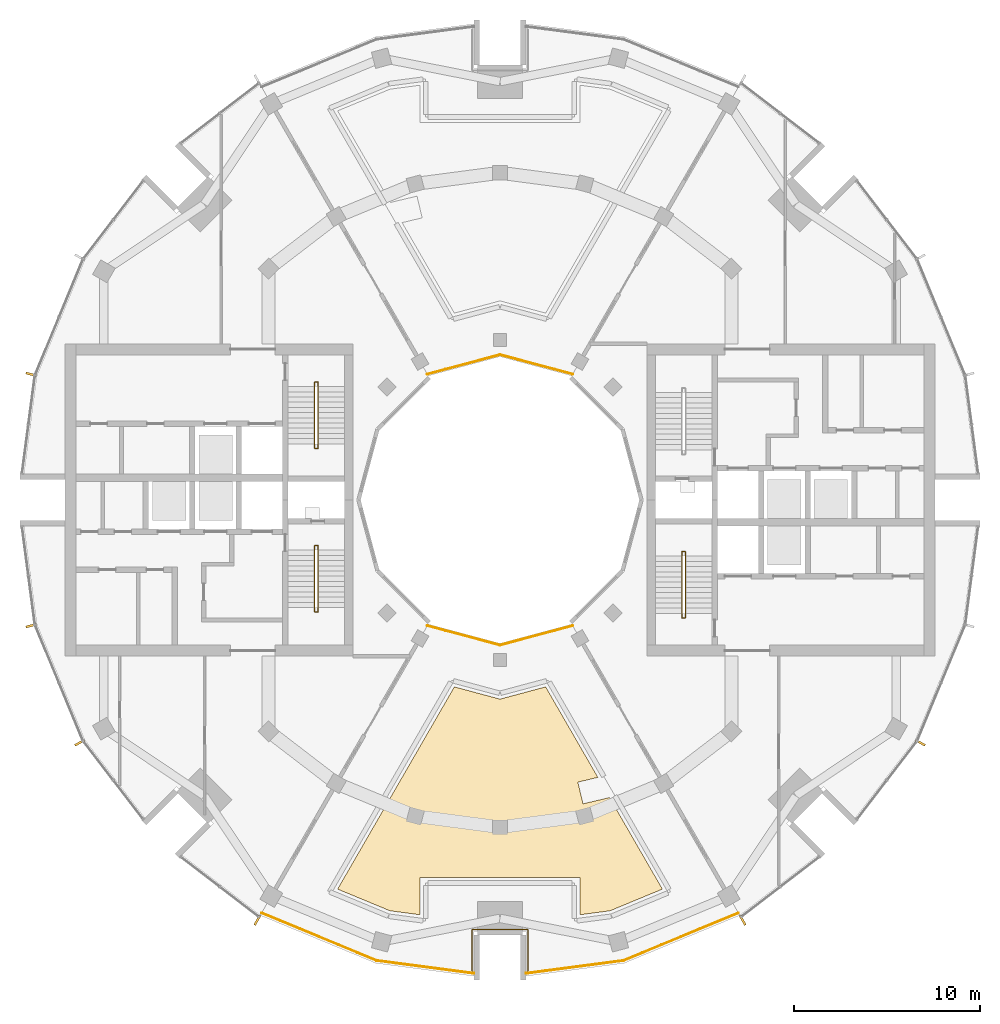
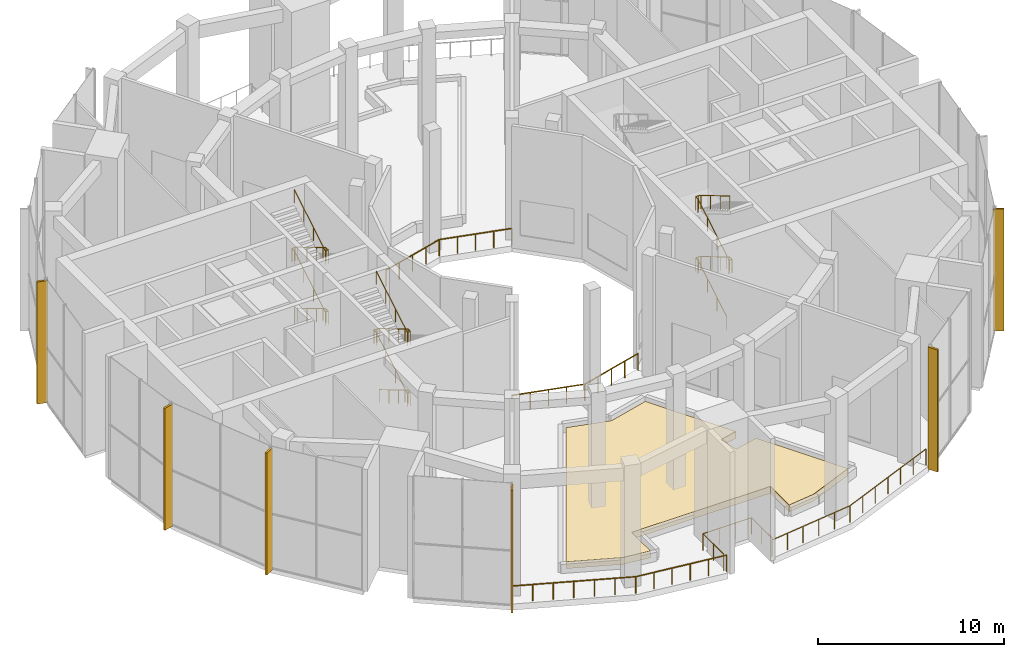
# One storey, part 16 of 18: 8 railings, 6 shading devices, 1 covering.
"""IFC4 building model written with IfcOpenShell, lengths in metres."""

from ifc_helpers import new_model, si_unit, direction, frame, origin, origin_2d, place, context, subcontext, project, spatial, polyline, rectangle, circle, outline, extrude, material, layer, layer_set, material_profile, profile_set, type_object, element, save


model = new_model("IFC4")

# Units and contexts
model_context = context("Model", 3, precision=1e-05, world=origin(), true_north=direction((0.0, 1.0)))
body_context = subcontext(model_context, "Body", "Model", "MODEL_VIEW")
ifc_project = project(units=[si_unit("LENGTHUNIT", "METRE"), si_unit("AREAUNIT", "SQUARE_METRE"), si_unit("VOLUMEUNIT", "CUBIC_METRE"), si_unit("PLANEANGLEUNIT", "RADIAN"), si_unit("MASSUNIT", "GRAM", prefix="KILO")], contexts=[model_context])

# Site, building, storey
site_placement = place(None, origin())
site = spatial("IfcSite", under=ifc_project, at=site_placement, CompositionType="ELEMENT")
building_placement = place(site_placement, origin())
building = spatial("IfcBuilding", under=site, at=building_placement, Name="Torre Brocal", CompositionType="ELEMENT")
storey_placement = place(building_placement, frame((0.0, 0.0, 229.300048828125)))
storey = spatial("IfcBuildingStorey", under=building, at=storey_placement, Name="L53", CompositionType="ELEMENT", Elevation=229.300048828125)

# Shading devices
ifc_material_1 = material(Name="Aluminium, black anodised", Category="aluminium")
ifc_material_profile = material_profile(ifc_material_1, rectangle(XDim=0.1201171875, YDim=0.60009765625, at=origin_2d()), Name="FIN 120X600 8000 HIGH")
ifc_profile_set = profile_set([ifc_material_profile], Name="Aluminium, black anodised")
shading_device_type = type_object("IfcShadingDeviceType", Name="FIN 120X600 8000 HIGH", PredefinedType="USERDEFINED", material=ifc_profile_set)
for number, where, z_axis, x_axis, name in (
    (1, (54.791015625, 81.754638671875, -0.150146484375), (0.0, 0.0, 1.0), (-0.258819045103, -0.965925826289, 0.0), "FIN"),
    (2, (54.791015625, 68.245361328125, -0.150146484375), (0.0, 0.0, 1.0), (0.258819045103, -0.965925826289, 0.0), "FIN"),
    (3, (57.398193359375, 61.950927734375, -0.150146484375), (0.0, 0.0, 1.0), (0.5, -0.866025403784, 0.0), "FIN"),
    (4, (66.950927734375, 52.398193359375, -0.150146484375), (0.0, 0.0, 1.0), (0.866025403784, -0.5, 0.0), "FIN"),
    (5, (93.049072265625, 52.398193359375, -0.150146484375), (0.0, 0.0, 1.0), (0.866025403784, 0.5, 0.0), "FIN"),
    (6, (102.601806640625, 61.950927734375, -0.150146484375), (0.0, 0.0, 1.0), (0.5, 0.866025403784, 0.0), "FIN"),
):
    element("IfcShadingDevice", number, at=place(storey_placement, frame(where, z_axis=z_axis, x_axis=x_axis)), inside=storey, type_object=shading_device_type, Name=name, ObjectType="FIN", PredefinedType="USERDEFINED", context=body_context, shape_type="SweptSolid", body=[
        extrude(rectangle(XDim=0.1201171875, YDim=0.60009765625, at=origin_2d()), origin(), (0.0, 0.0, 1.0), 8.0),
    ])

# Railings
ifc_material_2 = material(Name="Laminated glass", Category="glass")
railing_type_1 = type_object("IfcRailingType", Name="GLASS BALUSTRADE 1100", PredefinedType="BALUSTRADE", material=ifc_material_2)
railing_1_placement = place(storey_placement, frame((83.9052734375, 81.76416015625, 0.0)))
element("IfcRailing", 7, at=railing_1_placement, inside=storey, type_object=railing_type_1, Name="GLASS BALUSTRADE", PredefinedType="BALUSTRADE", context=body_context, shape_type="SweptSolid", body=[
    extrude(circle(Radius=0.02392578125, at=origin_2d()), frame((0.0, 0.0, 1.076171875), z_axis=(-0.965927566611, 0.258812550044, 0.0), x_axis=(-0.258812550044, -0.965927566611, 0.0)), (0.0, 0.0, 1.0), 4.04296875),
    extrude(circle(Radius=0.02392578125, at=origin_2d()), frame((-3.9052734375, 1.04638671875, 1.076171875), z_axis=(-0.965927566611, -0.258812550044, 0.0), x_axis=(0.258812550044, -0.965927566611, 0.0)), (0.0, 0.0, 1.0), 4.04296875),
    extrude(circle(Radius=0.02099609375, at=origin_2d()), origin(), (0.0, 0.0, 1.0), 1.052001953125),
    extrude(circle(Radius=0.02099609375, at=origin_2d()), frame((-0.976318359375, 0.26171875, 0.0)), (0.0, 0.0, 1.0), 1.052001953125),
    extrude(circle(Radius=0.02099609375, at=origin_2d()), frame((-1.95263671875, 0.523193359375, 0.0)), (0.0, 0.0, 1.0), 1.052001953125),
    extrude(circle(Radius=0.02099609375, at=origin_2d()), frame((-2.928955078125, 0.78466796875, 0.0)), (0.0, 0.0, 1.0), 1.052001953125),
    extrude(circle(Radius=0.02099609375, at=origin_2d()), frame((-3.9052734375, 1.04638671875, 0.0)), (0.0, 0.0, 1.0), 1.052001953125),
    extrude(circle(Radius=0.02099609375, at=origin_2d()), frame((-4.881591796875, 0.78466796875, 0.0)), (0.0, 0.0, 1.0), 1.052001953125),
    extrude(circle(Radius=0.02099609375, at=origin_2d()), frame((-5.85791015625, 0.523193359375, 0.0)), (0.0, 0.0, 1.0), 1.052001953125),
    extrude(circle(Radius=0.02099609375, at=origin_2d()), frame((-6.834228515625, 0.26171875, 0.0)), (0.0, 0.0, 1.0), 1.052001953125),
    extrude(circle(Radius=0.02099609375, at=origin_2d()), frame((-7.810546875, 0.0, 0.0)), (0.0, 0.0, 1.0), 1.052001953125),
])
railing_2_placement = place(storey_placement, frame((76.0947265625, 68.23583984375, 0.0)))
element("IfcRailing", 8, at=railing_2_placement, inside=storey, type_object=railing_type_1, Name="GLASS BALUSTRADE", PredefinedType="BALUSTRADE", context=body_context, shape_type="SweptSolid", body=[
    extrude(circle(Radius=0.02392578125, at=origin_2d()), frame((0.0, 0.0, 1.076171875), z_axis=(0.965927566611, -0.258812550044, 0.0), x_axis=(0.258812550044, 0.965927566611, 0.0)), (0.0, 0.0, 1.0), 4.04296875),
    extrude(circle(Radius=0.02392578125, at=origin_2d()), frame((3.9052734375, -1.04638671875, 1.076171875), z_axis=(0.965927566611, 0.258812550044, 0.0), x_axis=(-0.258812550044, 0.965927566611, 0.0)), (0.0, 0.0, 1.0), 4.04296875),
    extrude(circle(Radius=0.02099609375, at=origin_2d()), origin(), (0.0, 0.0, 1.0), 1.052001953125),
    extrude(circle(Radius=0.02099609375, at=origin_2d()), frame((0.976318359375, -0.26171875, 0.0)), (0.0, 0.0, 1.0), 1.052001953125),
    extrude(circle(Radius=0.02099609375, at=origin_2d()), frame((1.95263671875, -0.523193359375, 0.0)), (0.0, 0.0, 1.0), 1.052001953125),
    extrude(circle(Radius=0.02099609375, at=origin_2d()), frame((2.928955078125, -0.78466796875, 0.0)), (0.0, 0.0, 1.0), 1.052001953125),
    extrude(circle(Radius=0.02099609375, at=origin_2d()), frame((3.9052734375, -1.04638671875, 0.0)), (0.0, 0.0, 1.0), 1.052001953125),
    extrude(circle(Radius=0.02099609375, at=origin_2d()), frame((4.881591796875, -0.78466796875, 0.0)), (0.0, 0.0, 1.0), 1.052001953125),
    extrude(circle(Radius=0.02099609375, at=origin_2d()), frame((5.85791015625, -0.523193359375, 0.0)), (0.0, 0.0, 1.0), 1.052001953125),
    extrude(circle(Radius=0.02099609375, at=origin_2d()), frame((6.834228515625, -0.26171875, 0.0)), (0.0, 0.0, 1.0), 1.052001953125),
    extrude(circle(Radius=0.02099609375, at=origin_2d()), frame((7.810546875, 0.0, 0.0)), (0.0, 0.0, 1.0), 1.052001953125),
])
railing_3_placement = place(storey_placement, frame((67.176513671875, 52.7890625, 0.0)))
element("IfcRailing", 9, at=railing_3_placement, inside=storey, type_object=railing_type_1, Name="GLASS BALUSTRADE", PredefinedType="BALUSTRADE", context=body_context, shape_type="SweptSolid", body=[
    extrude(circle(Radius=0.02392578125, at=origin_2d()), frame((0.0, 0.0, 1.076171875), z_axis=(0.923873277269, -0.382698533507, 0.0), x_axis=(0.382698533507, 0.923873277269, 0.0)), (0.0, 0.0, 1.0), 6.6953125),
    extrude(circle(Radius=0.02392578125, at=origin_2d()), frame((6.185546875, -2.562255859375, 1.076171875), z_axis=(0.991448474977, -0.130498741241, 0.0), x_axis=(0.130498741241, 0.991448474977, 0.0)), (0.0, 0.0, 1.0), 5.283203125),
    extrude(circle(Radius=0.02099609375, at=origin_2d()), origin(), (0.0, 0.0, 1.0), 1.052001953125),
    extrude(circle(Radius=0.02099609375, at=origin_2d()), frame((1.031005859375, -0.427001953125, 0.0)), (0.0, 0.0, 1.0), 1.052001953125),
    extrude(circle(Radius=0.02099609375, at=origin_2d()), frame((2.061767578125, -0.85400390625, 0.0)), (0.0, 0.0, 1.0), 1.052001953125),
    extrude(circle(Radius=0.02099609375, at=origin_2d()), frame((3.0927734375, -1.28125, 0.0)), (0.0, 0.0, 1.0), 1.052001953125),
    extrude(circle(Radius=0.02099609375, at=origin_2d()), frame((4.123779296875, -1.708251953125, 0.0)), (0.0, 0.0, 1.0), 1.052001953125),
    extrude(circle(Radius=0.02099609375, at=origin_2d()), frame((5.154541015625, -2.13525390625, 0.0)), (0.0, 0.0, 1.0), 1.052001953125),
    extrude(circle(Radius=0.02099609375, at=origin_2d()), frame((6.185546875, -2.562255859375, 0.0)), (0.0, 0.0, 1.0), 1.052001953125),
    extrude(circle(Radius=0.02099609375, at=origin_2d()), frame((7.233154296875, -2.7001953125, 0.0)), (0.0, 0.0, 1.0), 1.052001953125),
    extrude(circle(Radius=0.02099609375, at=origin_2d()), frame((8.28076171875, -2.838134765625, 0.0)), (0.0, 0.0, 1.0), 1.052001953125),
    extrude(circle(Radius=0.02099609375, at=origin_2d()), frame((9.328369140625, -2.975830078125, 0.0)), (0.0, 0.0, 1.0), 1.052001953125),
    extrude(circle(Radius=0.02099609375, at=origin_2d()), frame((10.3759765625, -3.11376953125, 0.0)), (0.0, 0.0, 1.0), 1.052001953125),
    extrude(circle(Radius=0.02099609375, at=origin_2d()), frame((11.423583984375, -3.251708984375, 0.0)), (0.0, 0.0, 1.0), 1.052001953125),
])
railing_4_placement = place(storey_placement, frame((81.39990234375, 49.537353515625, 0.0)))
element("IfcRailing", 10, at=railing_4_placement, inside=storey, type_object=railing_type_1, Name="GLASS BALUSTRADE", PredefinedType="BALUSTRADE", context=body_context, shape_type="SweptSolid", body=[
    extrude(circle(Radius=0.02392578125, at=origin_2d()), frame((0.0, 0.0, 1.076171875), z_axis=(0.991448474977, 0.130498741241, 0.0), x_axis=(-0.130498741241, 0.991448474977, 0.0)), (0.0, 0.0, 1.0), 5.283203125),
    extrude(circle(Radius=0.02392578125, at=origin_2d()), frame((5.238037109375, 0.689453125, 1.076171875), z_axis=(0.923873277269, 0.382698533507, 0.0), x_axis=(-0.382698533507, 0.923873277269, 0.0)), (0.0, 0.0, 1.0), 6.6953125),
    extrude(circle(Radius=0.02099609375, at=origin_2d()), origin(), (0.0, 0.0, 1.0), 1.052001953125),
    extrude(circle(Radius=0.02099609375, at=origin_2d()), frame((1.047607421875, 0.137939453125, 0.0)), (0.0, 0.0, 1.0), 1.052001953125),
    extrude(circle(Radius=0.02099609375, at=origin_2d()), frame((2.09521484375, 0.27587890625, 0.0)), (0.0, 0.0, 1.0), 1.052001953125),
    extrude(circle(Radius=0.02099609375, at=origin_2d()), frame((3.142822265625, 0.41357421875, 0.0)), (0.0, 0.0, 1.0), 1.052001953125),
    extrude(circle(Radius=0.02099609375, at=origin_2d()), frame((4.1904296875, 0.551513671875, 0.0)), (0.0, 0.0, 1.0), 1.052001953125),
    extrude(circle(Radius=0.02099609375, at=origin_2d()), frame((5.238037109375, 0.689453125, 0.0)), (0.0, 0.0, 1.0), 1.052001953125),
    extrude(circle(Radius=0.02099609375, at=origin_2d()), frame((6.26904296875, 1.116455078125, 0.0)), (0.0, 0.0, 1.0), 1.052001953125),
    extrude(circle(Radius=0.02099609375, at=origin_2d()), frame((7.2998046875, 1.54345703125, 0.0)), (0.0, 0.0, 1.0), 1.052001953125),
    extrude(circle(Radius=0.02099609375, at=origin_2d()), frame((8.330810546875, 1.970703125, 0.0)), (0.0, 0.0, 1.0), 1.052001953125),
    extrude(circle(Radius=0.02099609375, at=origin_2d()), frame((9.36181640625, 2.397705078125, 0.0)), (0.0, 0.0, 1.0), 1.052001953125),
    extrude(circle(Radius=0.02099609375, at=origin_2d()), frame((10.392578125, 2.82470703125, 0.0)), (0.0, 0.0, 1.0), 1.052001953125),
    extrude(circle(Radius=0.02099609375, at=origin_2d()), frame((11.423583984375, 3.251708984375, 0.0)), (0.0, 0.0, 1.0), 1.052001953125),
])
ifc_material_3 = material(Name="Steel A36", Category="steel")
railing_type_2 = type_object("IfcRailingType", Name="GUARD 1100", PredefinedType="GUARDRAIL", material=ifc_material_3)
railing_5_placement = place(storey_placement, frame((81.5, 49.671630859375, 0.0)))
element("IfcRailing", 11, at=railing_5_placement, inside=storey, type_object=railing_type_2, Name="GUARD", PredefinedType="GUARDRAIL", context=body_context, shape_type="SweptSolid", body=[
    extrude(circle(Radius=0.02392578125, at=origin_2d()), frame((0.0, 0.0, 1.076171875), z_axis=(0.0, 1.0, 0.0), x_axis=(-1.0, 0.0, 0.0)), (0.0, 0.0, 1.0), 2.228271484375),
    extrude(circle(Radius=0.02392578125, at=origin_2d()), frame((0.0, 2.228271484375, 1.076171875), z_axis=(-1.0, 0.0, 0.0), x_axis=(0.0, -1.0, 0.0)), (0.0, 0.0, 1.0), 3.0),
    extrude(circle(Radius=0.02392578125, at=origin_2d()), frame((-3.0, 2.228271484375, 1.076171875), z_axis=(0.0, -1.0, 0.0), x_axis=(1.0, 0.0, 0.0)), (0.0, 0.0, 1.0), 2.228271484375),
    extrude(circle(Radius=0.02099609375, at=origin_2d()), origin(), (0.0, 0.0, 1.0), 1.052001953125),
    extrude(circle(Radius=0.02099609375, at=origin_2d()), frame((0.0, 1.1142578125, 0.0)), (0.0, 0.0, 1.0), 1.052001953125),
    extrude(circle(Radius=0.02099609375, at=origin_2d()), frame((0.0, 2.228271484375, 0.0)), (0.0, 0.0, 1.0), 1.052001953125),
    extrude(circle(Radius=0.02099609375, at=origin_2d()), frame((-1.0, 2.228271484375, 0.0)), (0.0, 0.0, 1.0), 1.052001953125),
    extrude(circle(Radius=0.02099609375, at=origin_2d()), frame((-2.0, 2.228271484375, 0.0)), (0.0, 0.0, 1.0), 1.052001953125),
    extrude(circle(Radius=0.02099609375, at=origin_2d()), frame((-3.0, 2.228271484375, 0.0)), (0.0, 0.0, 1.0), 1.052001953125),
    extrude(circle(Radius=0.02099609375, at=origin_2d()), frame((-3.0, 1.1142578125, 0.0)), (0.0, 0.0, 1.0), 1.052001953125),
    extrude(circle(Radius=0.02099609375, at=origin_2d()), frame((-3.0, 0.0, 0.0)), (0.0, 0.0, 1.0), 1.052001953125),
])

# Covering
ifc_material_4 = material(Name="Planting soil")
ifc_layer = layer(ifc_material_4, 0.449951171875)
ifc_layer_set = layer_set([ifc_layer], Name="Planting soil")
covering_type = type_object("IfcCoveringType", Name="PLANTING SOIL 450", PredefinedType="FLOORING", material=ifc_layer_set)
covering_placement = place(storey_placement, origin())
element("IfcCovering", 12, at=covering_placement, inside=storey, type_object=covering_type, Name="PLANTING SOIL", PredefinedType="FLOORING", context=body_context, shape_type="SweptSolid", body=[
    extrude(outline(polyline([(74.080078125, 52.90625), (71.265625, 54.07177734375), (77.54541015625, 64.948486328125), (80.0, 64.29052734375), (82.45458984375, 64.948486328125), (85.2646484375, 60.08154296875), (84.186767578125, 59.825439453125), (84.46435546875, 58.657958984375), (85.890625, 58.996826171875), (88.734375, 54.07177734375), (85.919921875, 52.90625), (84.300048828125, 52.69287109375), (84.300048828125, 54.699951171875), (75.699951171875, 54.699951171875), (75.699951171875, 52.69287109375), (74.080078125, 52.90625)])), origin(), (0.0, 0.0, 1.0), 0.449951171875),
])

# Railings
ifc_material_5 = material(Name="Stainless steel AISI 316", Category="steel")
railing_type_3 = type_object("IfcRailingType", Name="STAIR HANDRAIL", PredefinedType="HANDRAIL", material=ifc_material_5)
railing_6_placement = place(storey_placement, frame((89.780029296875, 68.89990234375, 0.16650390625)))
element("IfcRailing", 13, at=railing_6_placement, inside=storey, type_object=railing_type_3, Name="HANDRAIL ST2", PredefinedType="HANDRAIL", context=body_context, shape_type="SweptSolid", body=[
    extrude(circle(Radius=0.02392578125, at=origin_2d()), frame((0.0, 0.0, 0.8759765625), z_axis=(0.0, 0.85927862911, 0.511507807912), x_axis=(-1.0, 0.0, 0.0)), (0.0, 0.0, 1.0), 3.58447265625),
    extrude(circle(Radius=0.02392578125, at=origin_2d()), frame((0.0, 3.080078125, 2.70947265625), z_axis=(0.0, 1.0, 0.0), x_axis=(-1.0, 0.0, 0.0)), (0.0, 0.0, 1.0), 0.25),
    extrude(circle(Radius=0.02392578125, at=origin_2d()), frame((0.0, 3.330078125, 2.70947265625), z_axis=(1.0, 0.0, 0.0), x_axis=(0.0, 1.0, 0.0)), (0.0, 0.0, 1.0), 0.18994140625),
    extrude(circle(Radius=0.02392578125, at=origin_2d()), frame((0.18994140625, 3.330078125, 2.70947265625), z_axis=(0.0, -0.832300300006, 0.554325004496), x_axis=(1.0, 0.0, 0.0)), (0.0, 0.0, 1.0), 0.30029296875),
    extrude(circle(Radius=0.02392578125, at=origin_2d()), frame((0.18994140625, 3.080078125, 2.8759765625), z_axis=(0.0, -0.85927862911, 0.511507807912), x_axis=(1.0, 0.0, 0.0)), (0.0, 0.0, 1.0), 3.58447265625),
    extrude(circle(Radius=0.02392578125, at=origin_2d()), frame((0.18994140625, 0.0, 4.70947265625), z_axis=(0.0, -1.0, 0.0), x_axis=(1.0, 0.0, 0.0)), (0.0, 0.0, 1.0), 0.25),
    extrude(circle(Radius=0.02392578125, at=origin_2d()), frame((0.18994140625, -0.25, 4.70947265625), z_axis=(-1.0, 0.0, 0.0), x_axis=(0.0, -1.0, 0.0)), (0.0, 0.0, 1.0), 0.18994140625),
    extrude(circle(Radius=0.02392578125, at=origin_2d()), frame((0.0, -0.25, 4.70947265625), z_axis=(0.0, 0.832300300006, 0.554325004496), x_axis=(-1.0, 0.0, 0.0)), (0.0, 0.0, 1.0), 0.30029296875),
    extrude(circle(Radius=0.02392578125, at=origin_2d()), frame((0.0, 0.0, 4.8759765625), z_axis=(0.0, 0.85927862911, 0.511507807912), x_axis=(-1.0, 0.0, 0.0)), (0.0, 0.0, 1.0), 3.58447265625),
    extrude(circle(Radius=0.02392578125, at=origin_2d()), frame((0.0, 3.080078125, 6.70947265625), z_axis=(0.0, 1.0, 0.0), x_axis=(-1.0, 0.0, 0.0)), (0.0, 0.0, 1.0), 0.25),
    extrude(circle(Radius=0.02392578125, at=origin_2d()), frame((0.0, 3.330078125, 6.70947265625), z_axis=(1.0, 0.0, 0.0), x_axis=(0.0, 1.0, 0.0)), (0.0, 0.0, 1.0), 0.18994140625),
    extrude(circle(Radius=0.02392578125, at=origin_2d()), frame((0.18994140625, 3.330078125, 6.70947265625), z_axis=(0.0, -0.832300300006, 0.554325004496), x_axis=(1.0, 0.0, 0.0)), (0.0, 0.0, 1.0), 0.30029296875),
    extrude(circle(Radius=0.02392578125, at=origin_2d()), frame((0.18994140625, 3.080078125, 6.8759765625), z_axis=(0.0, -0.85927862911, 0.511507807912), x_axis=(1.0, 0.0, 0.0)), (0.0, 0.0, 1.0), 3.58447265625),
    extrude(circle(Radius=0.02099609375, at=origin_2d()), origin(), (0.0, 0.0, 1.0), 0.851806640625),
    extrude(circle(Radius=0.02099609375, at=origin_2d()), frame((0.0, 1.026611328125, 0.611083984375)), (0.0, 0.0, 1.0), 0.851806640625),
    extrude(circle(Radius=0.02099609375, at=origin_2d()), frame((0.0, 2.053466796875, 1.222412109375)), (0.0, 0.0, 1.0), 0.851806640625),
    extrude(circle(Radius=0.02099609375, at=origin_2d()), frame((0.0, 3.080078125, 1.83349609375)), (0.0, 0.0, 1.0), 0.851806640625),
    extrude(circle(Radius=0.02099609375, at=origin_2d()), frame((0.0, 3.330078125, 1.83349609375)), (0.0, 0.0, 1.0), 0.851806640625),
    extrude(circle(Radius=0.02099609375, at=origin_2d()), frame((0.18994140625, 3.330078125, 1.83349609375)), (0.0, 0.0, 1.0), 0.851806640625),
    extrude(circle(Radius=0.02099609375, at=origin_2d()), frame((0.18994140625, 3.080078125, 2.0)), (0.0, 0.0, 1.0), 0.851806640625),
    extrude(circle(Radius=0.02099609375, at=origin_2d()), frame((0.18994140625, 2.053466796875, 2.611083984375)), (0.0, 0.0, 1.0), 0.851806640625),
    extrude(circle(Radius=0.02099609375, at=origin_2d()), frame((0.18994140625, 1.026611328125, 3.222412109375)), (0.0, 0.0, 1.0), 0.851806640625),
    extrude(circle(Radius=0.02099609375, at=origin_2d()), frame((0.18994140625, 0.0, 3.83349609375)), (0.0, 0.0, 1.0), 0.851806640625),
    extrude(circle(Radius=0.02099609375, at=origin_2d()), frame((0.18994140625, -0.25, 3.83349609375)), (0.0, 0.0, 1.0), 0.851806640625),
    extrude(circle(Radius=0.02099609375, at=origin_2d()), frame((0.0, -0.25, 3.83349609375)), (0.0, 0.0, 1.0), 0.851806640625),
    extrude(circle(Radius=0.02099609375, at=origin_2d()), frame((0.0, 0.0, 4.0)), (0.0, 0.0, 1.0), 0.851806640625),
    extrude(circle(Radius=0.02099609375, at=origin_2d()), frame((0.0, 1.026611328125, 4.611083984375)), (0.0, 0.0, 1.0), 0.851806640625),
    extrude(circle(Radius=0.02099609375, at=origin_2d()), frame((0.0, 2.053466796875, 5.222412109375)), (0.0, 0.0, 1.0), 0.851806640625),
    extrude(circle(Radius=0.02099609375, at=origin_2d()), frame((0.0, 3.080078125, 5.83349609375)), (0.0, 0.0, 1.0), 0.851806640625),
    extrude(circle(Radius=0.02099609375, at=origin_2d()), frame((0.0, 3.330078125, 5.83349609375)), (0.0, 0.0, 1.0), 0.851806640625),
    extrude(circle(Radius=0.02099609375, at=origin_2d()), frame((0.18994140625, 3.330078125, 5.83349609375)), (0.0, 0.0, 1.0), 0.851806640625),
    extrude(circle(Radius=0.02099609375, at=origin_2d()), frame((0.18994140625, 3.080078125, 6.0)), (0.0, 0.0, 1.0), 0.851806640625),
    extrude(circle(Radius=0.02099609375, at=origin_2d()), frame((0.18994140625, 2.053466796875, 6.611083984375)), (0.0, 0.0, 1.0), 0.851806640625),
    extrude(circle(Radius=0.02099609375, at=origin_2d()), frame((0.18994140625, 1.026611328125, 7.222412109375)), (0.0, 0.0, 1.0), 0.851806640625),
    extrude(circle(Radius=0.02099609375, at=origin_2d()), frame((0.18994140625, 0.0, 7.83349609375)), (0.0, 0.0, 1.0), 0.851806640625),
])
railing_7_placement = place(storey_placement, frame((70.219970703125, 72.300048828125, 0.16650390625)))
element("IfcRailing", 14, at=railing_7_placement, inside=storey, type_object=railing_type_3, Name="HANDRAIL ST3", PredefinedType="HANDRAIL", context=body_context, shape_type="SweptSolid", body=[
    extrude(circle(Radius=0.02392578125, at=origin_2d()), frame((0.0, 0.0, 0.8759765625), z_axis=(0.0, -0.85927862911, 0.511507807912), x_axis=(1.0, 0.0, 0.0)), (0.0, 0.0, 1.0), 3.58447265625),
    extrude(circle(Radius=0.02392578125, at=origin_2d()), frame((0.0, -3.080078125, 2.70947265625), z_axis=(0.0, -1.0, 0.0), x_axis=(1.0, 0.0, 0.0)), (0.0, 0.0, 1.0), 0.25),
    extrude(circle(Radius=0.02392578125, at=origin_2d()), frame((0.0, -3.330078125, 2.70947265625), z_axis=(-1.0, 0.0, 0.0), x_axis=(0.0, -1.0, 0.0)), (0.0, 0.0, 1.0), 0.18994140625),
    extrude(circle(Radius=0.02392578125, at=origin_2d()), frame((-0.18994140625, -3.330078125, 2.70947265625), z_axis=(0.0, 0.832300300006, 0.554325004496), x_axis=(-1.0, 0.0, 0.0)), (0.0, 0.0, 1.0), 0.30029296875),
    extrude(circle(Radius=0.02392578125, at=origin_2d()), frame((-0.18994140625, -3.080078125, 2.8759765625), z_axis=(0.0, 0.85927862911, 0.511507807912), x_axis=(-1.0, 0.0, 0.0)), (0.0, 0.0, 1.0), 3.58447265625),
    extrude(circle(Radius=0.02392578125, at=origin_2d()), frame((-0.18994140625, 0.0, 4.70947265625), z_axis=(0.0, 1.0, 0.0), x_axis=(-1.0, 0.0, 0.0)), (0.0, 0.0, 1.0), 0.25),
    extrude(circle(Radius=0.02392578125, at=origin_2d()), frame((-0.18994140625, 0.25, 4.70947265625), z_axis=(1.0, 0.0, 0.0), x_axis=(0.0, 1.0, 0.0)), (0.0, 0.0, 1.0), 0.18994140625),
    extrude(circle(Radius=0.02392578125, at=origin_2d()), frame((0.0, 0.25, 4.70947265625), z_axis=(0.0, -0.832300300006, 0.554325004496), x_axis=(1.0, 0.0, 0.0)), (0.0, 0.0, 1.0), 0.30029296875),
    extrude(circle(Radius=0.02392578125, at=origin_2d()), frame((0.0, 0.0, 4.8759765625), z_axis=(0.0, -0.85927862911, 0.511507807912), x_axis=(1.0, 0.0, 0.0)), (0.0, 0.0, 1.0), 3.58447265625),
    extrude(circle(Radius=0.02392578125, at=origin_2d()), frame((0.0, -3.080078125, 6.70947265625), z_axis=(0.0, -1.0, 0.0), x_axis=(1.0, 0.0, 0.0)), (0.0, 0.0, 1.0), 0.25),
    extrude(circle(Radius=0.02392578125, at=origin_2d()), frame((0.0, -3.330078125, 6.70947265625), z_axis=(-1.0, 0.0, 0.0), x_axis=(0.0, -1.0, 0.0)), (0.0, 0.0, 1.0), 0.18994140625),
    extrude(circle(Radius=0.02392578125, at=origin_2d()), frame((-0.18994140625, -3.330078125, 6.70947265625), z_axis=(0.0, 0.832300300006, 0.554325004496), x_axis=(-1.0, 0.0, 0.0)), (0.0, 0.0, 1.0), 0.30029296875),
    extrude(circle(Radius=0.02392578125, at=origin_2d()), frame((-0.18994140625, -3.080078125, 6.8759765625), z_axis=(0.0, 0.85927862911, 0.511507807912), x_axis=(-1.0, 0.0, 0.0)), (0.0, 0.0, 1.0), 3.58447265625),
    extrude(circle(Radius=0.02099609375, at=origin_2d()), origin(), (0.0, 0.0, 1.0), 0.851806640625),
    extrude(circle(Radius=0.02099609375, at=origin_2d()), frame((0.0, -1.026611328125, 0.611083984375)), (0.0, 0.0, 1.0), 0.851806640625),
    extrude(circle(Radius=0.02099609375, at=origin_2d()), frame((0.0, -2.053466796875, 1.222412109375)), (0.0, 0.0, 1.0), 0.851806640625),
    extrude(circle(Radius=0.02099609375, at=origin_2d()), frame((0.0, -3.080078125, 1.83349609375)), (0.0, 0.0, 1.0), 0.851806640625),
    extrude(circle(Radius=0.02099609375, at=origin_2d()), frame((0.0, -3.330078125, 1.83349609375)), (0.0, 0.0, 1.0), 0.851806640625),
    extrude(circle(Radius=0.02099609375, at=origin_2d()), frame((-0.18994140625, -3.330078125, 1.83349609375)), (0.0, 0.0, 1.0), 0.851806640625),
    extrude(circle(Radius=0.02099609375, at=origin_2d()), frame((-0.18994140625, -3.080078125, 2.0)), (0.0, 0.0, 1.0), 0.851806640625),
    extrude(circle(Radius=0.02099609375, at=origin_2d()), frame((-0.18994140625, -2.053466796875, 2.611083984375)), (0.0, 0.0, 1.0), 0.851806640625),
    extrude(circle(Radius=0.02099609375, at=origin_2d()), frame((-0.18994140625, -1.026611328125, 3.222412109375)), (0.0, 0.0, 1.0), 0.851806640625),
    extrude(circle(Radius=0.02099609375, at=origin_2d()), frame((-0.18994140625, 0.0, 3.83349609375)), (0.0, 0.0, 1.0), 0.851806640625),
    extrude(circle(Radius=0.02099609375, at=origin_2d()), frame((-0.18994140625, 0.25, 3.83349609375)), (0.0, 0.0, 1.0), 0.851806640625),
    extrude(circle(Radius=0.02099609375, at=origin_2d()), frame((0.0, 0.25, 3.83349609375)), (0.0, 0.0, 1.0), 0.851806640625),
    extrude(circle(Radius=0.02099609375, at=origin_2d()), frame((0.0, 0.0, 4.0)), (0.0, 0.0, 1.0), 0.851806640625),
    extrude(circle(Radius=0.02099609375, at=origin_2d()), frame((0.0, -1.026611328125, 4.611083984375)), (0.0, 0.0, 1.0), 0.851806640625),
    extrude(circle(Radius=0.02099609375, at=origin_2d()), frame((0.0, -2.053466796875, 5.222412109375)), (0.0, 0.0, 1.0), 0.851806640625),
    extrude(circle(Radius=0.02099609375, at=origin_2d()), frame((0.0, -3.080078125, 5.83349609375)), (0.0, 0.0, 1.0), 0.851806640625),
    extrude(circle(Radius=0.02099609375, at=origin_2d()), frame((0.0, -3.330078125, 5.83349609375)), (0.0, 0.0, 1.0), 0.851806640625),
    extrude(circle(Radius=0.02099609375, at=origin_2d()), frame((-0.18994140625, -3.330078125, 5.83349609375)), (0.0, 0.0, 1.0), 0.851806640625),
    extrude(circle(Radius=0.02099609375, at=origin_2d()), frame((-0.18994140625, -3.080078125, 6.0)), (0.0, 0.0, 1.0), 0.851806640625),
    extrude(circle(Radius=0.02099609375, at=origin_2d()), frame((-0.18994140625, -2.053466796875, 6.611083984375)), (0.0, 0.0, 1.0), 0.851806640625),
    extrude(circle(Radius=0.02099609375, at=origin_2d()), frame((-0.18994140625, -1.026611328125, 7.222412109375)), (0.0, 0.0, 1.0), 0.851806640625),
    extrude(circle(Radius=0.02099609375, at=origin_2d()), frame((-0.18994140625, 0.0, 7.83349609375)), (0.0, 0.0, 1.0), 0.851806640625),
])
railing_8_placement = place(storey_placement, frame((70.219970703125, 81.10009765625, 0.16650390625)))
element("IfcRailing", 15, at=railing_8_placement, inside=storey, type_object=railing_type_3, Name="HANDRAIL ST4", PredefinedType="HANDRAIL", context=body_context, shape_type="SweptSolid", body=[
    extrude(circle(Radius=0.02392578125, at=origin_2d()), frame((0.0, 0.0, 0.8759765625), z_axis=(0.0, -0.85927862911, 0.511507807912), x_axis=(1.0, 0.0, 0.0)), (0.0, 0.0, 1.0), 3.58447265625),
    extrude(circle(Radius=0.02392578125, at=origin_2d()), frame((0.0, -3.080078125, 2.70947265625), z_axis=(0.0, -1.0, 0.0), x_axis=(1.0, 0.0, 0.0)), (0.0, 0.0, 1.0), 0.25),
    extrude(circle(Radius=0.02392578125, at=origin_2d()), frame((0.0, -3.330078125, 2.70947265625), z_axis=(-1.0, 0.0, 0.0), x_axis=(0.0, -1.0, 0.0)), (0.0, 0.0, 1.0), 0.18994140625),
    extrude(circle(Radius=0.02392578125, at=origin_2d()), frame((-0.18994140625, -3.330078125, 2.70947265625), z_axis=(0.0, 0.832300300006, 0.554325004496), x_axis=(-1.0, 0.0, 0.0)), (0.0, 0.0, 1.0), 0.30029296875),
    extrude(circle(Radius=0.02392578125, at=origin_2d()), frame((-0.18994140625, -3.080078125, 2.8759765625), z_axis=(0.0, 0.85927862911, 0.511507807912), x_axis=(-1.0, 0.0, 0.0)), (0.0, 0.0, 1.0), 3.58447265625),
    extrude(circle(Radius=0.02392578125, at=origin_2d()), frame((-0.18994140625, 0.0, 4.70947265625), z_axis=(0.0, 1.0, 0.0), x_axis=(-1.0, 0.0, 0.0)), (0.0, 0.0, 1.0), 0.25),
    extrude(circle(Radius=0.02392578125, at=origin_2d()), frame((-0.18994140625, 0.25, 4.70947265625), z_axis=(1.0, 0.0, 0.0), x_axis=(0.0, 1.0, 0.0)), (0.0, 0.0, 1.0), 0.18994140625),
    extrude(circle(Radius=0.02392578125, at=origin_2d()), frame((0.0, 0.25, 4.70947265625), z_axis=(0.0, -0.832300300006, 0.554325004496), x_axis=(1.0, 0.0, 0.0)), (0.0, 0.0, 1.0), 0.30029296875),
    extrude(circle(Radius=0.02392578125, at=origin_2d()), frame((0.0, 0.0, 4.8759765625), z_axis=(0.0, -0.85927862911, 0.511507807912), x_axis=(1.0, 0.0, 0.0)), (0.0, 0.0, 1.0), 3.58447265625),
    extrude(circle(Radius=0.02392578125, at=origin_2d()), frame((0.0, -3.080078125, 6.70947265625), z_axis=(0.0, -1.0, 0.0), x_axis=(1.0, 0.0, 0.0)), (0.0, 0.0, 1.0), 0.25),
    extrude(circle(Radius=0.02392578125, at=origin_2d()), frame((0.0, -3.330078125, 6.70947265625), z_axis=(-1.0, 0.0, 0.0), x_axis=(0.0, -1.0, 0.0)), (0.0, 0.0, 1.0), 0.18994140625),
    extrude(circle(Radius=0.02392578125, at=origin_2d()), frame((-0.18994140625, -3.330078125, 6.70947265625), z_axis=(0.0, 0.832300300006, 0.554325004496), x_axis=(-1.0, 0.0, 0.0)), (0.0, 0.0, 1.0), 0.30029296875),
    extrude(circle(Radius=0.02392578125, at=origin_2d()), frame((-0.18994140625, -3.080078125, 6.8759765625), z_axis=(0.0, 0.85927862911, 0.511507807912), x_axis=(-1.0, 0.0, 0.0)), (0.0, 0.0, 1.0), 3.58447265625),
    extrude(circle(Radius=0.02099609375, at=origin_2d()), origin(), (0.0, 0.0, 1.0), 0.851806640625),
    extrude(circle(Radius=0.02099609375, at=origin_2d()), frame((0.0, -1.026611328125, 0.611083984375)), (0.0, 0.0, 1.0), 0.851806640625),
    extrude(circle(Radius=0.02099609375, at=origin_2d()), frame((0.0, -2.053466796875, 1.222412109375)), (0.0, 0.0, 1.0), 0.851806640625),
    extrude(circle(Radius=0.02099609375, at=origin_2d()), frame((0.0, -3.080078125, 1.83349609375)), (0.0, 0.0, 1.0), 0.851806640625),
    extrude(circle(Radius=0.02099609375, at=origin_2d()), frame((0.0, -3.330078125, 1.83349609375)), (0.0, 0.0, 1.0), 0.851806640625),
    extrude(circle(Radius=0.02099609375, at=origin_2d()), frame((-0.18994140625, -3.330078125, 1.83349609375)), (0.0, 0.0, 1.0), 0.851806640625),
    extrude(circle(Radius=0.02099609375, at=origin_2d()), frame((-0.18994140625, -3.080078125, 2.0)), (0.0, 0.0, 1.0), 0.851806640625),
    extrude(circle(Radius=0.02099609375, at=origin_2d()), frame((-0.18994140625, -2.053466796875, 2.611083984375)), (0.0, 0.0, 1.0), 0.851806640625),
    extrude(circle(Radius=0.02099609375, at=origin_2d()), frame((-0.18994140625, -1.026611328125, 3.222412109375)), (0.0, 0.0, 1.0), 0.851806640625),
    extrude(circle(Radius=0.02099609375, at=origin_2d()), frame((-0.18994140625, 0.0, 3.83349609375)), (0.0, 0.0, 1.0), 0.851806640625),
    extrude(circle(Radius=0.02099609375, at=origin_2d()), frame((-0.18994140625, 0.25, 3.83349609375)), (0.0, 0.0, 1.0), 0.851806640625),
    extrude(circle(Radius=0.02099609375, at=origin_2d()), frame((0.0, 0.25, 3.83349609375)), (0.0, 0.0, 1.0), 0.851806640625),
    extrude(circle(Radius=0.02099609375, at=origin_2d()), frame((0.0, 0.0, 4.0)), (0.0, 0.0, 1.0), 0.851806640625),
    extrude(circle(Radius=0.02099609375, at=origin_2d()), frame((0.0, -1.026611328125, 4.611083984375)), (0.0, 0.0, 1.0), 0.851806640625),
    extrude(circle(Radius=0.02099609375, at=origin_2d()), frame((0.0, -2.053466796875, 5.222412109375)), (0.0, 0.0, 1.0), 0.851806640625),
    extrude(circle(Radius=0.02099609375, at=origin_2d()), frame((0.0, -3.080078125, 5.83349609375)), (0.0, 0.0, 1.0), 0.851806640625),
    extrude(circle(Radius=0.02099609375, at=origin_2d()), frame((0.0, -3.330078125, 5.83349609375)), (0.0, 0.0, 1.0), 0.851806640625),
    extrude(circle(Radius=0.02099609375, at=origin_2d()), frame((-0.18994140625, -3.330078125, 5.83349609375)), (0.0, 0.0, 1.0), 0.851806640625),
    extrude(circle(Radius=0.02099609375, at=origin_2d()), frame((-0.18994140625, -3.080078125, 6.0)), (0.0, 0.0, 1.0), 0.851806640625),
    extrude(circle(Radius=0.02099609375, at=origin_2d()), frame((-0.18994140625, -2.053466796875, 6.611083984375)), (0.0, 0.0, 1.0), 0.851806640625),
    extrude(circle(Radius=0.02099609375, at=origin_2d()), frame((-0.18994140625, -1.026611328125, 7.222412109375)), (0.0, 0.0, 1.0), 0.851806640625),
    extrude(circle(Radius=0.02099609375, at=origin_2d()), frame((-0.18994140625, 0.0, 7.83349609375)), (0.0, 0.0, 1.0), 0.851806640625),
])

save(model, "model.ifc")
